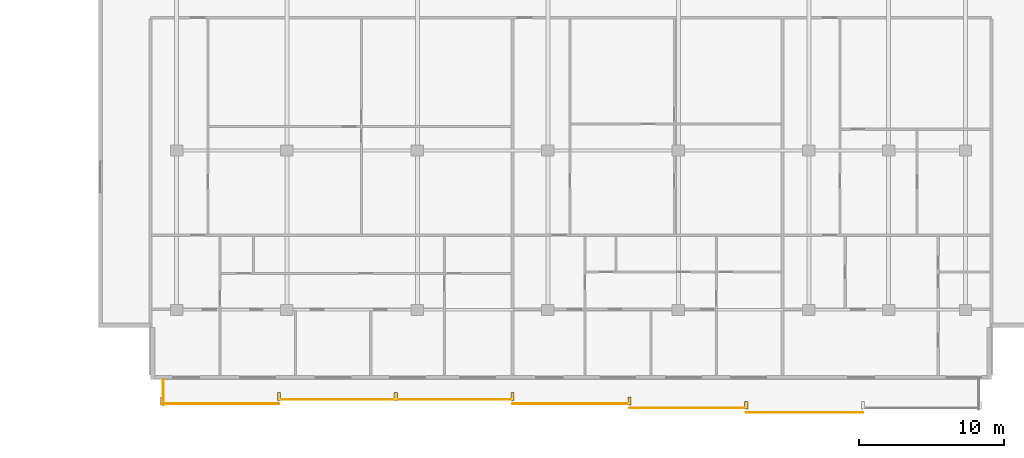
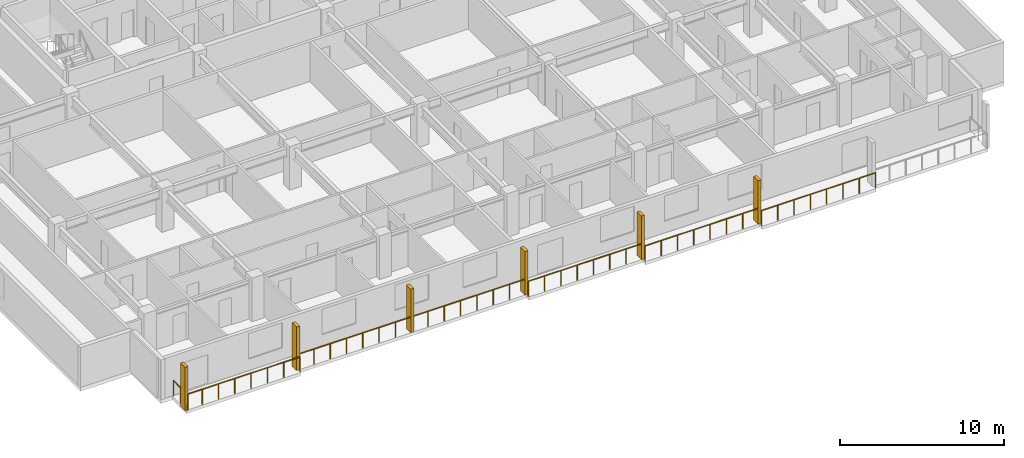
# One storey, part 18 of 22: 6 railings, 6 shading devices.
"""IFC4 building model written with IfcOpenShell, lengths in metres."""

import ifcopenshell
import ifcopenshell.guid

model = None  # the IFC model being written
_history = None  # IfcOwnerHistory: only IFC2X3 demands one
_inside = {}  # id of a spatial element -> (the spatial element, [elements in it])
_under = {}  # id of a project, library or spatial element -> (it, [spatial elements below it])
_declared = {}  # id of a project -> (the project, [libraries it declares])
_typed = {}  # id of a type object -> (the type object, [elements of that type])
_made_of = {}  # id of a material, layer set ... -> (it, [elements and type objects made of it])


def new_model(schema):
    """Start an empty IFC model of exactly this schema.

    Asked for "IFC4X3", IfcOpenShell would pick the latest addendum, in which some entities
    have other attributes; the version numbers below select the first issue.
    IFC2X3 requires an IfcOwnerHistory on every rooted entity: one is made here for all.
    """
    global model, _history
    if schema == "IFC4X3":
        model = ifcopenshell.file(schema_version=(4, 3, 0, 0))
    else:
        model = ifcopenshell.file(schema=schema)
    _inside.clear()
    _under.clear()
    _declared.clear()
    _typed.clear()
    _made_of.clear()
    _history = None
    if model.schema == "IFC2X3":
        org = make("IfcOrganization", Name="unknown")
        user = make(
            "IfcPersonAndOrganization",
            ThePerson=make("IfcPerson", FamilyName="unknown"),
            TheOrganization=org,
        )
        app = make(
            "IfcApplication",
            ApplicationDeveloper=org,
            Version="unknown",
            ApplicationFullName="unknown",
            ApplicationIdentifier="unknown",
        )
        _history = make(
            "IfcOwnerHistory",
            OwningUser=user,
            OwningApplication=app,
            ChangeAction="ADDED",
            CreationDate=0,
        )
    return model


def make(cls, **values):
    """One entity of the class cls with the attributes given. An attribute that is None is left unset."""
    return model.create_entity(
        cls, **{name: value for name, value in values.items() if value is not None}
    )


def rooted(cls, **values):
    """An entity with a GlobalId (a new one), such as an element, a storey or a relation."""
    return make(cls, GlobalId=ifcopenshell.guid.new(), OwnerHistory=_history, **values)


def si_unit(unit_type, name, prefix=None):
    """IfcSIUnit, for example si_unit("LENGTHUNIT", "METRE", prefix="MILLI")."""
    return make("IfcSIUnit", UnitType=unit_type, Prefix=prefix, Name=name)


def assignment(units):
    """IfcUnitAssignment: the units of a project."""
    return None if units is None else make("IfcUnitAssignment", Units=units)


def point(xyz):
    """IfcCartesianPoint."""
    return None if xyz is None else make("IfcCartesianPoint", Coordinates=xyz)


def direction(xyz):
    """IfcDirection."""
    return None if xyz is None else make("IfcDirection", DirectionRatios=xyz)


def frame(location, z_axis=None, x_axis=None):
    """IfcAxis2Placement3D, a coordinate frame: its origin and axes. An axis left out is left unset."""
    return make(
        "IfcAxis2Placement3D",
        Location=point(location),
        Axis=direction(z_axis),
        RefDirection=direction(x_axis),
    )


def frame_2d(location, x_axis=None):
    """IfcAxis2Placement2D, a coordinate frame in the plane: its origin and x axis."""
    return make(
        "IfcAxis2Placement2D", Location=point(location), RefDirection=direction(x_axis)
    )


def origin():
    """The frame at (0, 0, 0) with its axes left unset."""
    return frame((0.0, 0.0, 0.0))


def origin_2d():
    """The frame at (0, 0) in the plane with its x axis left unset."""
    return frame_2d((0.0, 0.0))


def place(relative_to, where):
    """IfcLocalPlacement: puts the frame where relative to a parent placement (None: the world)."""
    return make(
        "IfcLocalPlacement", PlacementRelTo=relative_to, RelativePlacement=where
    )


def context(
    kind, dimensions, precision=None, world=None, true_north=None, identifier=None
):
    """IfcGeometricRepresentationContext, for example the 3D "Model" context."""
    return make(
        "IfcGeometricRepresentationContext",
        ContextIdentifier=identifier,
        ContextType=kind,
        CoordinateSpaceDimension=dimensions,
        Precision=precision,
        WorldCoordinateSystem=world,
        TrueNorth=true_north,
    )


def subcontext(parent, identifier, kind, view, scale=None):
    """IfcGeometricRepresentationSubContext, for example "Body" below "Model"."""
    return make(
        "IfcGeometricRepresentationSubContext",
        ContextIdentifier=identifier,
        ContextType=kind,
        ParentContext=parent,
        TargetScale=scale,
        TargetView=view,
    )


def project(units=None, contexts=None):
    """IfcProject with its units and contexts."""
    return rooted(
        "IfcProject",
        Name="project",
        RepresentationContexts=contexts,
        UnitsInContext=assignment(units),
    )


def spatial(cls, under=None, at=None, **own):
    """A site, building, storey or space (cls), placed at a placement, below another one or the project."""
    s = rooted(cls, ObjectPlacement=at, **own)
    if under is not None:
        _under.setdefault(under.id(), (under, []))[1].append(s)
    return s


def profile(cls, at=None, kind="AREA", **sizes):
    """A parametric profile (cls). Its sizes go by their IFC names, for example OverallWidth=200.0."""
    return make(cls, ProfileType=kind, Position=at, **sizes)


def rectangle(**sizes):
    """IfcRectangleProfileDef."""
    return profile("IfcRectangleProfileDef", **sizes)


def circle(**sizes):
    """IfcCircleProfileDef."""
    return profile("IfcCircleProfileDef", **sizes)


def extrude(swept, where, along, depth):
    """IfcExtrudedAreaSolid: the profile swept, set in the frame where, extruded along a direction by depth."""
    return make(
        "IfcExtrudedAreaSolid",
        SweptArea=swept,
        Position=where,
        ExtrudedDirection=direction(along),
        Depth=depth,
    )


def shape(context_of_items, identifier, shape_type, items):
    """IfcShapeRepresentation: the items that make up one representation, for example the "Body"."""
    return make(
        "IfcShapeRepresentation",
        ContextOfItems=context_of_items,
        RepresentationIdentifier=identifier,
        RepresentationType=shape_type,
        Items=items,
    )


def material(Name=None, Category=None):
    """IfcMaterial."""
    return make("IfcMaterial", Name=Name, Category=Category)


def made_of(thing, what):
    """Note that an element or type object is made of a material, layer set ...; save() writes the relation."""
    if what is not None:
        _made_of.setdefault(what.id(), (what, []))[1].append(thing)
    return thing


def type_object(cls, material=None, **own):
    """A type object (cls), such as IfcWallType, which elements share."""
    return made_of(rooted(cls, **own), material)


def element(
    cls,
    number,
    at=None,
    inside=None,
    cuts=None,
    type_object=None,
    material=None,
    context=None,
    identifier="Body",
    shape_type=None,
    held_by="IfcProductDefinitionShape",
    body=None,
    shapes=None,
    **own,
):
    """One element of the class cls, such as IfcWall. Its Tag is "e" and its number.

    at: its placement. inside: the storey or other place that contains it. cuts: it is an
    opening in that element (IfcRelVoidsElement). A single representation is given by context,
    identifier, shape_type and body (its items); several are given by shapes. held_by: the class
    of the entity that holds the representations. save() writes the other relations.
    """
    e = rooted(cls, Tag="e%d" % number, ObjectPlacement=at, **own)
    if body is not None:
        shapes = [shape(context, identifier, shape_type, body)]
    if shapes is not None:
        e.Representation = make(held_by, Representations=shapes)
    if inside is not None:
        _inside.setdefault(inside.id(), (inside, []))[1].append(e)
    if cuts is not None:
        rooted(
            "IfcRelVoidsElement", RelatingBuildingElement=cuts, RelatedOpeningElement=e
        )
    if type_object is not None:
        _typed.setdefault(type_object.id(), (type_object, []))[1].append(e)
    return made_of(e, material)


def aggregate(whole, parts):
    """IfcRelAggregates: a whole, such as a stair, and the parts it consists of."""
    return rooted("IfcRelAggregates", RelatingObject=whole, RelatedObjects=parts)


def save(model, path):
    """Write the relations noted so far, then the file.

    IfcRelAggregates (storeys below a building ...), IfcRelContainedInSpatialStructure (elements
    in a storey), IfcRelDefinesByType, IfcRelAssociatesMaterial and IfcRelDeclares: one each for
    every whole, place, type object, material and project.
    """
    for whole, parts in _under.values():
        aggregate(whole, parts)
    for where, things in _inside.values():
        rooted(
            "IfcRelContainedInSpatialStructure",
            RelatedElements=things,
            RelatingStructure=where,
        )
    for kind, things in _typed.values():
        rooted("IfcRelDefinesByType", RelatedObjects=things, RelatingType=kind)
    for what, things in _made_of.values():
        rooted("IfcRelAssociatesMaterial", RelatedObjects=things, RelatingMaterial=what)
    for by, libraries in _declared.values():
        rooted("IfcRelDeclares", RelatingContext=by, RelatedDefinitions=libraries)
    model.write(path)


model = new_model("IFC4")

# Units and contexts
model_context = context("Model", 3, precision=1e-05, world=origin(), true_north=direction((0.0, 1.0)))
body_context = subcontext(model_context, "Body", "Model", "MODEL_VIEW")
ifc_project = project(units=[si_unit("LENGTHUNIT", "METRE"), si_unit("AREAUNIT", "SQUARE_METRE"), si_unit("VOLUMEUNIT", "CUBIC_METRE"), si_unit("PLANEANGLEUNIT", "RADIAN"), si_unit("MASSUNIT", "GRAM", prefix="KILO")], contexts=[model_context])

# Site, building, storey
site_placement = place(None, origin())
site = spatial("IfcSite", under=ifc_project, at=site_placement, CompositionType="ELEMENT")
building_placement = place(site_placement, origin())
building = spatial("IfcBuilding", under=site, at=building_placement, Name="Korimba Cascade Residences", CompositionType="ELEMENT")
storey_placement = place(building_placement, frame((0.0, 0.0, 132.800048828125)))
storey = spatial("IfcBuildingStorey", under=building, at=storey_placement, Name="L38", CompositionType="ELEMENT", Elevation=132.800048828125)

# Railings
ifc_material_1 = material(Name="Laminated Glass and Bronze Balustrade", Category="glass")
railing_type = type_object("IfcRailingType", Name="RLG-LOG-1150", PredefinedType="BALUSTRADE", material=ifc_material_1)
railing_1_placement = place(storey_placement, frame((73.5, -10.669921875, 0.0)))
element("IfcRailing", 1, at=railing_1_placement, inside=storey, type_object=railing_type, Name="L38 Perimeter Guardrail RLG-L38-T2-LOG-01", PredefinedType="BALUSTRADE", context=body_context, shape_type="SweptSolid", body=[
    extrude(circle(Radius=0.02392578125, at=origin_2d()), frame((0.0, 0.0, 1.1259765625), z_axis=(1.0, 0.0, 0.0), x_axis=(0.0, 1.0, 0.0)), (0.0, 0.0, 1.0), 8.05712890625),
    extrude(circle(Radius=0.02099609375, at=origin_2d()), origin(), (0.0, 0.0, 1.0), 1.101806640625),
    extrude(circle(Radius=0.02099609375, at=origin_2d()), frame((1.151123046875, 0.0, 0.0)), (0.0, 0.0, 1.0), 1.101806640625),
    extrude(circle(Radius=0.02099609375, at=origin_2d()), frame((2.302001953125, 0.0, 0.0)), (0.0, 0.0, 1.0), 1.101806640625),
    extrude(circle(Radius=0.02099609375, at=origin_2d()), frame((3.453125, 0.0, 0.0)), (0.0, 0.0, 1.0), 1.101806640625),
    extrude(circle(Radius=0.02099609375, at=origin_2d()), frame((4.60400390625, 0.0, 0.0)), (0.0, 0.0, 1.0), 1.101806640625),
    extrude(circle(Radius=0.02099609375, at=origin_2d()), frame((5.755126953125, 0.0, 0.0)), (0.0, 0.0, 1.0), 1.101806640625),
    extrude(circle(Radius=0.02099609375, at=origin_2d()), frame((6.906005859375, 0.0, 0.0)), (0.0, 0.0, 1.0), 1.101806640625),
    extrude(circle(Radius=0.02099609375, at=origin_2d()), frame((8.05712890625, 0.0, 0.0)), (0.0, 0.0, 1.0), 1.101806640625),
])
railing_2_placement = place(storey_placement, frame((81.55712890625, -10.3701171875, 0.0)))
element("IfcRailing", 2, at=railing_2_placement, inside=storey, type_object=railing_type, Name="L38 Perimeter Guardrail RLG-L38-T2-LOG-02", PredefinedType="BALUSTRADE", context=body_context, shape_type="SweptSolid", body=[
    extrude(circle(Radius=0.02392578125, at=origin_2d()), frame((0.0, 0.0, 1.1259765625), z_axis=(1.0, 0.0, 0.0), x_axis=(0.0, 1.0, 0.0)), (0.0, 0.0, 1.0), 16.1142578125),
    extrude(circle(Radius=0.02099609375, at=origin_2d()), origin(), (0.0, 0.0, 1.0), 1.101806640625),
    extrude(circle(Radius=0.02099609375, at=origin_2d()), frame((1.151123046875, 0.0, 0.0)), (0.0, 0.0, 1.0), 1.101806640625),
    extrude(circle(Radius=0.02099609375, at=origin_2d()), frame((2.302001953125, 0.0, 0.0)), (0.0, 0.0, 1.0), 1.101806640625),
    extrude(circle(Radius=0.02099609375, at=origin_2d()), frame((3.453125, 0.0, 0.0)), (0.0, 0.0, 1.0), 1.101806640625),
    extrude(circle(Radius=0.02099609375, at=origin_2d()), frame((4.60400390625, 0.0, 0.0)), (0.0, 0.0, 1.0), 1.101806640625),
    extrude(circle(Radius=0.02099609375, at=origin_2d()), frame((5.755126953125, 0.0, 0.0)), (0.0, 0.0, 1.0), 1.101806640625),
    extrude(circle(Radius=0.02099609375, at=origin_2d()), frame((6.906005859375, 0.0, 0.0)), (0.0, 0.0, 1.0), 1.101806640625),
    extrude(circle(Radius=0.02099609375, at=origin_2d()), frame((8.05712890625, 0.0, 0.0)), (0.0, 0.0, 1.0), 1.101806640625),
    extrude(circle(Radius=0.02099609375, at=origin_2d()), frame((9.208251953125, 0.0, 0.0)), (0.0, 0.0, 1.0), 1.101806640625),
    extrude(circle(Radius=0.02099609375, at=origin_2d()), frame((10.359130859375, 0.0, 0.0)), (0.0, 0.0, 1.0), 1.101806640625),
    extrude(circle(Radius=0.02099609375, at=origin_2d()), frame((11.51025390625, 0.0, 0.0)), (0.0, 0.0, 1.0), 1.101806640625),
    extrude(circle(Radius=0.02099609375, at=origin_2d()), frame((12.6611328125, 0.0, 0.0)), (0.0, 0.0, 1.0), 1.101806640625),
    extrude(circle(Radius=0.02099609375, at=origin_2d()), frame((13.812255859375, 0.0, 0.0)), (0.0, 0.0, 1.0), 1.101806640625),
    extrude(circle(Radius=0.02099609375, at=origin_2d()), frame((14.963134765625, 0.0, 0.0)), (0.0, 0.0, 1.0), 1.101806640625),
    extrude(circle(Radius=0.02099609375, at=origin_2d()), frame((16.1142578125, 0.0, 0.0)), (0.0, 0.0, 1.0), 1.101806640625),
])
for number, where, name in (
    (3, (97.67138671875, -10.669921875, 0.0), "L38 Perimeter Guardrail RLG-L38-T2-LOG-03"),
    (4, (105.728515625, -10.969970703125, 0.0), "L38 Perimeter Guardrail RLG-L38-T2-LOG-04"),
):
    element("IfcRailing", number, at=place(storey_placement, frame(where)), inside=storey, type_object=railing_type, Name=name, PredefinedType="BALUSTRADE", context=body_context, shape_type="SweptSolid", body=[
        extrude(circle(Radius=0.02392578125, at=origin_2d()), frame((0.0, 0.0, 1.1259765625), z_axis=(1.0, 0.0, 0.0), x_axis=(0.0, 1.0, 0.0)), (0.0, 0.0, 1.0), 8.05712890625),
        extrude(circle(Radius=0.02099609375, at=origin_2d()), origin(), (0.0, 0.0, 1.0), 1.101806640625),
        extrude(circle(Radius=0.02099609375, at=origin_2d()), frame((1.151123046875, 0.0, 0.0)), (0.0, 0.0, 1.0), 1.101806640625),
        extrude(circle(Radius=0.02099609375, at=origin_2d()), frame((2.302001953125, 0.0, 0.0)), (0.0, 0.0, 1.0), 1.101806640625),
        extrude(circle(Radius=0.02099609375, at=origin_2d()), frame((3.453125, 0.0, 0.0)), (0.0, 0.0, 1.0), 1.101806640625),
        extrude(circle(Radius=0.02099609375, at=origin_2d()), frame((4.60400390625, 0.0, 0.0)), (0.0, 0.0, 1.0), 1.101806640625),
        extrude(circle(Radius=0.02099609375, at=origin_2d()), frame((5.755126953125, 0.0, 0.0)), (0.0, 0.0, 1.0), 1.101806640625),
        extrude(circle(Radius=0.02099609375, at=origin_2d()), frame((6.906005859375, 0.0, 0.0)), (0.0, 0.0, 1.0), 1.101806640625),
        extrude(circle(Radius=0.02099609375, at=origin_2d()), frame((8.05712890625, 0.0, 0.0)), (0.0, 0.0, 1.0), 1.101806640625),
    ])
railing_3_placement = place(storey_placement, frame((113.78564453125, -11.27001953125, 0.0)))
element("IfcRailing", 5, at=railing_3_placement, inside=storey, type_object=railing_type, Name="L38 Perimeter Guardrail RLG-L38-T2-LOG-05", PredefinedType="BALUSTRADE", context=body_context, shape_type="SweptSolid", body=[
    extrude(circle(Radius=0.02392578125, at=origin_2d()), frame((0.0, 0.0, 1.1259765625), z_axis=(1.0, 0.0, 0.0), x_axis=(0.0, 1.0, 0.0)), (0.0, 0.0, 1.0), 8.057373046875),
    extrude(circle(Radius=0.02099609375, at=origin_2d()), origin(), (0.0, 0.0, 1.0), 1.101806640625),
    extrude(circle(Radius=0.02099609375, at=origin_2d()), frame((1.151123046875, 0.0, 0.0)), (0.0, 0.0, 1.0), 1.101806640625),
    extrude(circle(Radius=0.02099609375, at=origin_2d()), frame((2.302001953125, 0.0, 0.0)), (0.0, 0.0, 1.0), 1.101806640625),
    extrude(circle(Radius=0.02099609375, at=origin_2d()), frame((3.453125, 0.0, 0.0)), (0.0, 0.0, 1.0), 1.101806640625),
    extrude(circle(Radius=0.02099609375, at=origin_2d()), frame((4.604248046875, 0.0, 0.0)), (0.0, 0.0, 1.0), 1.101806640625),
    extrude(circle(Radius=0.02099609375, at=origin_2d()), frame((5.75537109375, 0.0, 0.0)), (0.0, 0.0, 1.0), 1.101806640625),
    extrude(circle(Radius=0.02099609375, at=origin_2d()), frame((6.90625, 0.0, 0.0)), (0.0, 0.0, 1.0), 1.101806640625),
    extrude(circle(Radius=0.02099609375, at=origin_2d()), frame((8.057373046875, 0.0, 0.0)), (0.0, 0.0, 1.0), 1.101806640625),
])
railing_4_placement = place(storey_placement, frame((73.580078125, -9.0, 0.0)))
element("IfcRailing", 6, at=railing_4_placement, inside=storey, type_object=railing_type, Name="L38 Perimeter Guardrail RLG-L38-T2-LOG-08", PredefinedType="BALUSTRADE", context=body_context, shape_type="SweptSolid", body=[
    extrude(circle(Radius=0.02392578125, at=origin_2d()), frame((0.0, 0.0, 1.1259765625), z_axis=(0.0, -1.0, 0.0), x_axis=(1.0, 0.0, 0.0)), (0.0, 0.0, 1.0), 1.75),
    extrude(circle(Radius=0.02099609375, at=origin_2d()), origin(), (0.0, 0.0, 1.0), 1.101806640625),
    extrude(circle(Radius=0.02099609375, at=origin_2d()), frame((0.0, -0.875, 0.0)), (0.0, 0.0, 1.0), 1.101806640625),
    extrude(circle(Radius=0.02099609375, at=origin_2d()), frame((0.0, -1.75, 0.0)), (0.0, 0.0, 1.0), 1.101806640625),
])

# Shading devices
ifc_material_2 = material(Name="Honed Sandstone Precast Fin", Category="masonry")
shading_device_type = type_object("IfcShadingDeviceType", Name="SHD-FIN-550", PredefinedType="USERDEFINED", material=ifc_material_2)
for number, where, z_axis, x_axis, name in (
    (7, (73.5, -10.47509765625, 0.0), (0.0, 0.0, 1.0), (1.0, 0.0, 0.0), "L38 T2 Warm-Stone Loggia Fin 1"),
    (8, (81.55712890625, -10.175048828125, 0.0), (0.0, 0.0, 1.0), (1.0, 0.0, 0.0), "L38 T2 Warm-Stone Loggia Fin 2"),
    (9, (89.6142578125, -10.175048828125, 0.0), (0.0, 0.0, 1.0), (1.0, 0.0, 0.0), "L38 T2 Warm-Stone Loggia Fin 3"),
    (10, (97.67138671875, -10.175048828125, 0.0), (0.0, 0.0, 1.0), (1.0, 0.0, 0.0), "L38 T2 Warm-Stone Loggia Fin 4"),
    (11, (105.728515625, -10.47509765625, 0.0), (0.0, 0.0, 1.0), (1.0, 0.0, 0.0), "L38 T2 Warm-Stone Loggia Fin 5"),
    (12, (113.78564453125, -10.77490234375, 0.0), (0.0, 0.0, 1.0), (1.0, 0.0, 0.0), "L38 T2 Warm-Stone Loggia Fin 6"),
):
    element("IfcShadingDevice", number, at=place(storey_placement, frame(where, z_axis=z_axis, x_axis=x_axis)), inside=storey, type_object=shading_device_type, Name=name, ObjectType="FIN", PredefinedType="USERDEFINED", context=body_context, shape_type="SweptSolid", body=[
        extrude(rectangle(XDim=0.219970703125, YDim=0.550048828125, at=origin_2d()), origin(), (0.0, 0.0, 1.0), 3.25),
    ])

save(model, "model.ifc")
